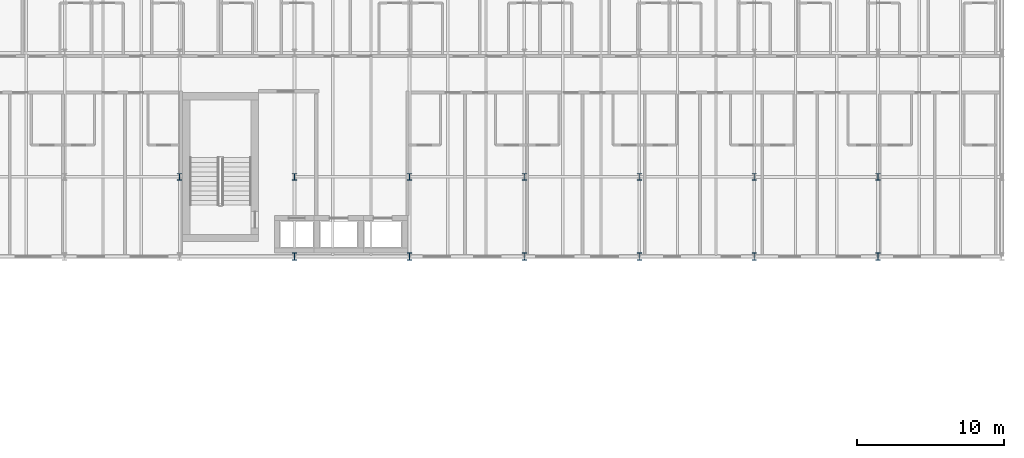
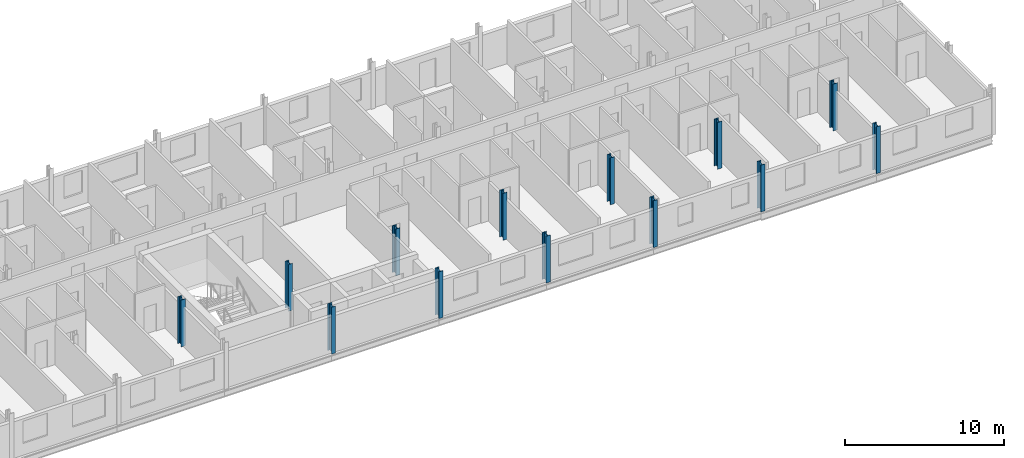
# One storey, part 4 of 36: 13 columns.
"""IFC4 building model written with IfcOpenShell, lengths in metres."""

from ifc_helpers import new_model, si_unit, direction, frame, origin, origin_2d, place, context, subcontext, project, spatial, i_section, extrude, material, material_profile, profile_set, type_object, element, save


model = new_model("IFC4")

# Units and contexts
model_context = context("Model", 3, precision=1e-05, world=origin(), true_north=direction((0.0, 1.0)))
body_context = subcontext(model_context, "Body", "Model", "MODEL_VIEW")
ifc_project = project(units=[si_unit("LENGTHUNIT", "METRE"), si_unit("AREAUNIT", "SQUARE_METRE"), si_unit("VOLUMEUNIT", "CUBIC_METRE"), si_unit("PLANEANGLEUNIT", "RADIAN"), si_unit("MASSUNIT", "GRAM", prefix="KILO")], contexts=[model_context])

# Site, building, storey
site_placement = place(None, origin())
site = spatial("IfcSite", under=ifc_project, at=site_placement, CompositionType="ELEMENT")
building_placement = place(site_placement, origin())
building = spatial("IfcBuilding", under=site, at=building_placement, Name="Sefraquen Railside Congress Hotel", CompositionType="ELEMENT")
storey_placement = place(building_placement, frame((0.0, 0.0, 28.199951171875)))
storey = spatial("IfcBuildingStorey", under=building, at=storey_placement, Name="L06", CompositionType="ELEMENT", Elevation=28.199951171875)

# Columns
ifc_material = material(Name="Steel S355JR", Category="steel")
ifc_material_profile_1 = material_profile(ifc_material, i_section(OverallWidth=0.300048828125, OverallDepth=0.449951171875, WebThickness=0.013916015625, FlangeThickness=0.02587890625, FilletRadius=0.027099609375, at=origin_2d()), Name="HEB 450")
ifc_profile_set_1 = profile_set([ifc_material_profile_1], Name="Steel S355JR")
column_type_1 = type_object("IfcColumnType", Name="TC-HEB-450", PredefinedType="COLUMN", material=ifc_profile_set_1)
for number, where, z_axis, x_axis, name in (
    (1, (64.199951171875, 101.39990234375, 0.0), (0.0, 0.0, 1.0), (1.0, 0.0, 0.0), "Structural column 9-N L06"),
    (2, (72.0, 101.39990234375, 0.0), (0.0, 0.0, 1.0), (1.0, 0.0, 0.0), "Structural column 10-N L06"),
    (3, (79.800048828125, 101.39990234375, 0.0), (0.0, 0.0, 1.0), (1.0, 0.0, 0.0), "Structural column 11-N L06"),
    (4, (87.60009765625, 101.39990234375, 0.0), (0.0, 0.0, 1.0), (1.0, 0.0, 0.0), "Structural column 12-N L06"),
    (5, (95.39990234375, 101.39990234375, 0.0), (0.0, 0.0, 1.0), (1.0, 0.0, 0.0), "Structural column 13-N L06"),
    (6, (103.199951171875, 101.39990234375, 0.0), (0.0, 0.0, 1.0), (1.0, 0.0, 0.0), "Structural column 14-N L06"),
    (7, (111.60009765625, 101.39990234375, 0.0), (0.0, 0.0, 1.0), (1.0, 0.0, 0.0), "Structural column 15-N L06"),
):
    element("IfcColumn", number, at=place(storey_placement, frame(where, z_axis=z_axis, x_axis=x_axis)), inside=storey, type_object=column_type_1, Name=name, PredefinedType="COLUMN", context=body_context, shape_type="SweptSolid", body=[
        extrude(i_section(OverallWidth=0.300048828125, OverallDepth=0.449951171875, WebThickness=0.013916015625, FlangeThickness=0.02587890625, FilletRadius=0.027099609375, at=origin_2d()), origin(), (0.0, 0.0, 1.0), 3.60009765625),
    ])
ifc_material_profile_2 = material_profile(ifc_material, i_section(OverallWidth=0.300048828125, OverallDepth=0.5, WebThickness=0.014404296875, FlangeThickness=0.028076171875, FilletRadius=0.027099609375, at=origin_2d()), Name="HEB 500")
ifc_profile_set_2 = profile_set([ifc_material_profile_2], Name="Steel S355JR")
column_type_2 = type_object("IfcColumnType", Name="TC-HEB-500", PredefinedType="COLUMN", material=ifc_profile_set_2)
for number, where, z_axis, x_axis, name in (
    (8, (72.0, 96.0, 0.0), (0.0, 0.0, 1.0), (1.0, 0.0, 0.0), "Structural column 10-M L06"),
    (9, (79.800048828125, 96.0, 0.0), (0.0, 0.0, 1.0), (1.0, 0.0, 0.0), "Structural column 11-M L06"),
    (10, (87.60009765625, 96.0, 0.0), (0.0, 0.0, 1.0), (1.0, 0.0, 0.0), "Structural column 12-M L06"),
    (11, (95.39990234375, 96.0, 0.0), (0.0, 0.0, 1.0), (1.0, 0.0, 0.0), "Structural column 13-M L06"),
    (12, (103.199951171875, 96.0, 0.0), (0.0, 0.0, 1.0), (1.0, 0.0, 0.0), "Structural column 14-M L06"),
    (13, (111.60009765625, 96.0, 0.0), (0.0, 0.0, 1.0), (1.0, 0.0, 0.0), "Structural column 15-M L06"),
):
    element("IfcColumn", number, at=place(storey_placement, frame(where, z_axis=z_axis, x_axis=x_axis)), inside=storey, type_object=column_type_2, Name=name, PredefinedType="COLUMN", context=body_context, shape_type="SweptSolid", body=[
        extrude(i_section(OverallWidth=0.300048828125, OverallDepth=0.5, WebThickness=0.014404296875, FlangeThickness=0.028076171875, FilletRadius=0.027099609375, at=origin_2d()), origin(), (0.0, 0.0, 1.0), 3.60009765625),
    ])

save(model, "model.ifc")
